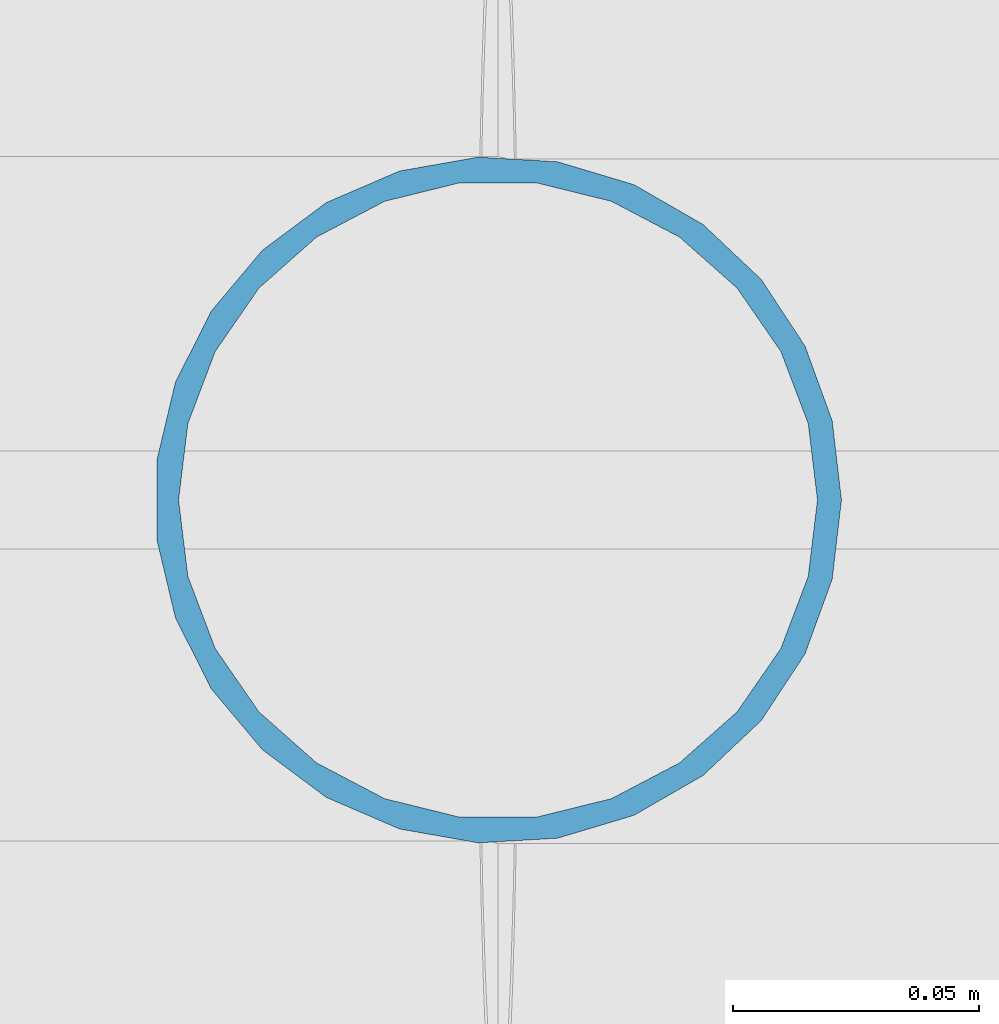
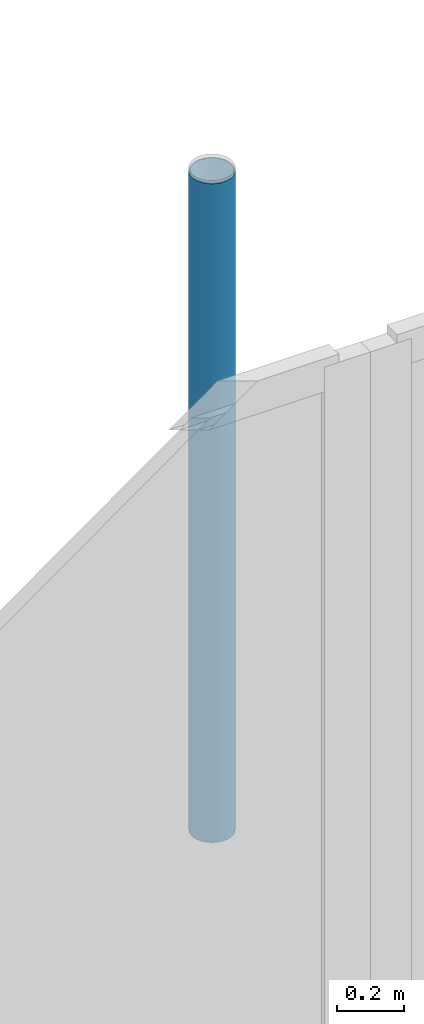
# One storey, part 141 of 321: 1 member.
"""IFC4 building model written with IfcOpenShell, lengths in metres."""

from ifc_helpers import new_model, si_unit, direction, frame, origin, origin_2d, place, context, subcontext, project, spatial, hollow_circle, extrude, material, material_profile, profile_set, type_object, element, save


model = new_model("IFC4")

# Units and contexts
model_context = context("Model", 3, precision=1e-05, world=origin(), true_north=direction((0.0, 1.0)))
body_context = subcontext(model_context, "Body", "Model", "MODEL_VIEW")
ifc_project = project(units=[si_unit("LENGTHUNIT", "METRE"), si_unit("AREAUNIT", "SQUARE_METRE"), si_unit("VOLUMEUNIT", "CUBIC_METRE"), si_unit("PLANEANGLEUNIT", "RADIAN"), si_unit("MASSUNIT", "GRAM", prefix="KILO")], contexts=[model_context])

# Site, building, storey
site_placement = place(None, origin())
site = spatial("IfcSite", under=ifc_project, at=site_placement, CompositionType="ELEMENT")
building_placement = place(site_placement, origin())
building = spatial("IfcBuilding", under=site, at=building_placement, Name="Ravi Spectrum Wholesale Market", CompositionType="ELEMENT")
storey_placement = place(building_placement, frame((0.0, 0.0, 10.800048828125)))
storey = spatial("IfcBuildingStorey", under=building, at=storey_placement, Name="L02", CompositionType="ELEMENT", Elevation=10.800048828125)

# Member
ifc_material = material(Name="Steel S355", Category="steel")
ifc_material_profile = material_profile(ifc_material, hollow_circle(Radius=0.06982421875, WallThickness=0.0048828125, at=origin_2d()))
ifc_profile_set = profile_set([ifc_material_profile], Name="Steel S355")
member_type = type_object("IfcMemberType", Name="CHS 139.7x5 post", PredefinedType="POST", material=ifc_profile_set)
member_placement = place(storey_placement, frame((174.0, 126.0, 5.39990234375), z_axis=(0.0, 0.0, -1.0), x_axis=(1.0, 0.0, 0.0)))
element("IfcMember", 1, at=member_placement, inside=storey, type_object=member_type, Name="H2-MB-L02-259", PredefinedType="POST", context=body_context, shape_type="SweptSolid", body=[
    extrude(hollow_circle(Radius=0.06982421875, WallThickness=0.0048828125, at=origin_2d()), origin(), (0.0, 0.0, 1.0), 2.39990234375),
])

save(model, "model.ifc")
